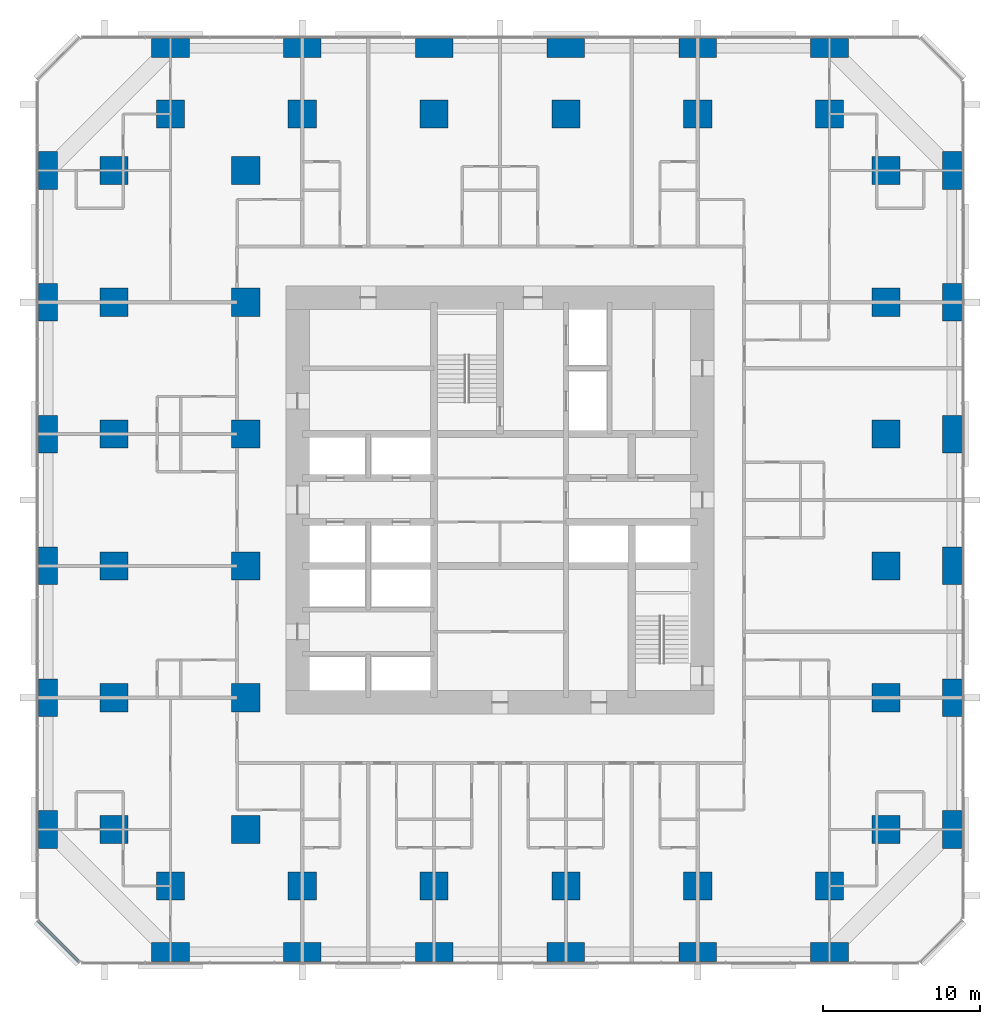
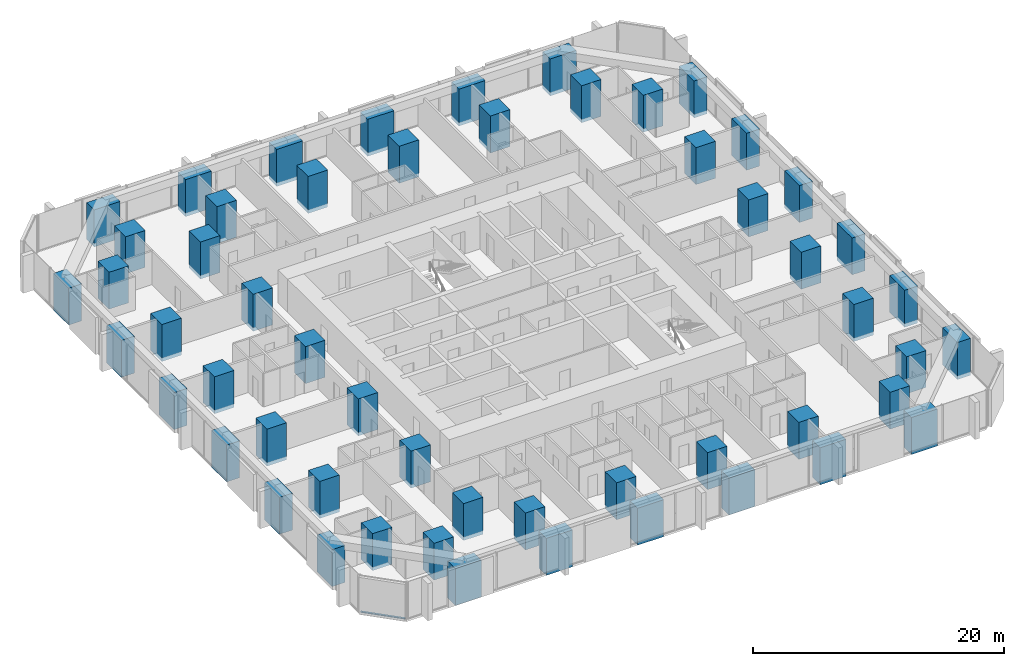
# One storey, part 1 of 17: 54 columns, 1 member, 1 element without a shape of its own.
"""IFC4 building model written with IfcOpenShell, lengths in metres."""

from ifc_helpers import new_model, si_unit, direction, frame, origin, origin_2d, place, context, subcontext, project, spatial, rectangle, extrude, material, material_profile, profile_set, type_object, element, aggregate, save


model = new_model("IFC4")

# Units and contexts
model_context = context("Model", 3, precision=1e-05, world=origin(), true_north=direction((0.0, 1.0)))
body_context = subcontext(model_context, "Body", "Model", "MODEL_VIEW")
ifc_project = project(units=[si_unit("LENGTHUNIT", "METRE"), si_unit("AREAUNIT", "SQUARE_METRE"), si_unit("VOLUMEUNIT", "CUBIC_METRE"), si_unit("PLANEANGLEUNIT", "RADIAN"), si_unit("MASSUNIT", "GRAM", prefix="KILO")], contexts=[model_context])

# Site, building, storey
site_placement = place(None, origin())
site = spatial("IfcSite", under=ifc_project, at=site_placement, CompositionType="ELEMENT")
building_placement = place(site_placement, origin())
building = spatial("IfcBuilding", under=site, at=building_placement, Name="Dunama Terrace Hotel", CompositionType="ELEMENT")
storey_placement = place(building_placement, frame((0.0, 0.0, 73.800048828125)))
storey = spatial("IfcBuildingStorey", under=building, at=storey_placement, Name="L18", CompositionType="ELEMENT", Elevation=73.800048828125)

# Columns
ifc_material_1 = material(Name="Concrete C60/75", Category="concrete")
ifc_material_profile_1 = material_profile(ifc_material_1, rectangle(XDim=1.199951171875, YDim=2.39990234375, at=origin_2d()), Name="RC 1200x2400")
ifc_profile_set_1 = profile_set([ifc_material_profile_1], Name="Concrete C60/75")
column_type_1 = type_object("IfcColumnType", Name="Column RC 1200x2400", PredefinedType="COLUMN", material=ifc_profile_set_1)
for number, where, z_axis, x_axis, name in (
    (1, (0.60009765625, 8.39990234375, -0.35009765625), (0.0, 0.0, 1.0), (1.0, 0.0, 0.0), "Column L18 +0.6/+8.4"),
    (2, (0.60009765625, 16.800048828125, -0.35009765625), (0.0, 0.0, 1.0), (1.0, 0.0, 0.0), "Column L18 +0.6/+16.8"),
    (3, (0.60009765625, 25.199951171875, -0.35009765625), (0.0, 0.0, 1.0), (1.0, 0.0, 0.0), "Column L18 +0.6/+25.2"),
    (4, (0.60009765625, 33.60009765625, -0.35009765625), (0.0, 0.0, 1.0), (1.0, 0.0, 0.0), "Column L18 +0.6/+33.6"),
    (5, (0.60009765625, 42.0, -0.35009765625), (0.0, 0.0, 1.0), (1.0, 0.0, 0.0), "Column L18 +0.6/+42.0"),
    (6, (0.60009765625, 50.39990234375, -0.35009765625), (0.0, 0.0, 1.0), (1.0, 0.0, 0.0), "Column L18 +0.6/+50.4"),
    (7, (58.199951171875, 8.39990234375, -0.35009765625), (0.0, 0.0, 1.0), (1.0, 0.0, 0.0), "Column L18 +58.2/+8.4"),
    (8, (58.199951171875, 16.800048828125, -0.35009765625), (0.0, 0.0, 1.0), (1.0, 0.0, 0.0), "Column L18 +58.2/+16.8"),
    (9, (58.199951171875, 25.199951171875, -0.35009765625), (0.0, 0.0, 1.0), (1.0, 0.0, 0.0), "Column L18 +58.2/+25.2"),
    (10, (58.199951171875, 33.60009765625, -0.35009765625), (0.0, 0.0, 1.0), (1.0, 0.0, 0.0), "Column L18 +58.2/+33.6"),
    (11, (58.199951171875, 42.0, -0.35009765625), (0.0, 0.0, 1.0), (1.0, 0.0, 0.0), "Column L18 +58.2/+42.0"),
    (12, (58.199951171875, 50.39990234375, -0.35009765625), (0.0, 0.0, 1.0), (1.0, 0.0, 0.0), "Column L18 +58.2/+50.4"),
):
    element("IfcColumn", number, at=place(storey_placement, frame(where, z_axis=z_axis, x_axis=x_axis)), inside=storey, type_object=column_type_1, Name=name, PredefinedType="COLUMN", context=body_context, shape_type="SweptSolid", body=[
        extrude(rectangle(XDim=1.199951171875, YDim=2.39990234375, at=origin_2d()), origin(), (0.0, 0.0, 1.0), 3.60009765625),
    ])
ifc_material_2 = material(Name="Concrete C60/75", Category="concrete")
ifc_material_profile_2 = material_profile(ifc_material_2, rectangle(XDim=1.800048828125, YDim=1.800048828125, at=origin_2d()), Name="RC 1800x1800")
ifc_profile_set_2 = profile_set([ifc_material_profile_2], Name="Concrete C60/75")
column_type_2 = type_object("IfcColumnType", Name="Column RC 1800x1800", PredefinedType="COLUMN", material=ifc_profile_set_2)
for number, where, z_axis, x_axis, name in (
    (13, (4.800048828125, 8.39990234375, -0.35009765625), (0.0, 0.0, 1.0), (1.0, 0.0, 0.0), "Column L18 +4.8/+8.4"),
    (14, (4.800048828125, 16.800048828125, -0.35009765625), (0.0, 0.0, 1.0), (1.0, 0.0, 0.0), "Column L18 +4.8/+16.8"),
    (15, (4.800048828125, 25.199951171875, -0.35009765625), (0.0, 0.0, 1.0), (1.0, 0.0, 0.0), "Column L18 +4.8/+25.2"),
    (16, (4.800048828125, 33.60009765625, -0.35009765625), (0.0, 0.0, 1.0), (1.0, 0.0, 0.0), "Column L18 +4.8/+33.6"),
    (17, (4.800048828125, 42.0, -0.35009765625), (0.0, 0.0, 1.0), (1.0, 0.0, 0.0), "Column L18 +4.8/+42.0"),
    (18, (4.800048828125, 50.39990234375, -0.35009765625), (0.0, 0.0, 1.0), (1.0, 0.0, 0.0), "Column L18 +4.8/+50.4"),
    (19, (8.39990234375, 4.800048828125, -0.35009765625), (0.0, 0.0, 1.0), (1.0, 0.0, 0.0), "Column L18 +8.4/+4.8"),
    (20, (8.39990234375, 54.0, -0.35009765625), (0.0, 0.0, 1.0), (1.0, 0.0, 0.0), "Column L18 +8.4/+54.0"),
    (21, (13.199951171875, 8.39990234375, -0.35009765625), (0.0, 0.0, 1.0), (1.0, 0.0, 0.0), "Column L18 +13.2/+8.4"),
    (22, (13.199951171875, 16.800048828125, -0.35009765625), (0.0, 0.0, 1.0), (1.0, 0.0, 0.0), "Column L18 +13.2/+16.8"),
    (23, (13.199951171875, 25.199951171875, -0.35009765625), (0.0, 0.0, 1.0), (1.0, 0.0, 0.0), "Column L18 +13.2/+25.2"),
    (24, (13.199951171875, 33.60009765625, -0.35009765625), (0.0, 0.0, 1.0), (1.0, 0.0, 0.0), "Column L18 +13.2/+33.6"),
    (25, (13.199951171875, 42.0, -0.35009765625), (0.0, 0.0, 1.0), (1.0, 0.0, 0.0), "Column L18 +13.2/+42.0"),
    (26, (13.199951171875, 50.39990234375, -0.35009765625), (0.0, 0.0, 1.0), (1.0, 0.0, 0.0), "Column L18 +13.2/+50.4"),
    (27, (16.800048828125, 4.800048828125, -0.35009765625), (0.0, 0.0, 1.0), (1.0, 0.0, 0.0), "Column L18 +16.8/+4.8"),
    (28, (16.800048828125, 54.0, -0.35009765625), (0.0, 0.0, 1.0), (1.0, 0.0, 0.0), "Column L18 +16.8/+54.0"),
    (29, (25.199951171875, 4.800048828125, -0.35009765625), (0.0, 0.0, 1.0), (1.0, 0.0, 0.0), "Column L18 +25.2/+4.8"),
    (30, (25.199951171875, 54.0, -0.35009765625), (0.0, 0.0, 1.0), (1.0, 0.0, 0.0), "Column L18 +25.2/+54.0"),
    (31, (33.60009765625, 4.800048828125, -0.35009765625), (0.0, 0.0, 1.0), (1.0, 0.0, 0.0), "Column L18 +33.6/+4.8"),
    (32, (33.60009765625, 54.0, -0.35009765625), (0.0, 0.0, 1.0), (1.0, 0.0, 0.0), "Column L18 +33.6/+54.0"),
    (33, (42.0, 4.800048828125, -0.35009765625), (0.0, 0.0, 1.0), (1.0, 0.0, 0.0), "Column L18 +42.0/+4.8"),
    (34, (42.0, 54.0, -0.35009765625), (0.0, 0.0, 1.0), (1.0, 0.0, 0.0), "Column L18 +42.0/+54.0"),
    (35, (50.39990234375, 4.800048828125, -0.35009765625), (0.0, 0.0, 1.0), (1.0, 0.0, 0.0), "Column L18 +50.4/+4.8"),
    (36, (50.39990234375, 54.0, -0.35009765625), (0.0, 0.0, 1.0), (1.0, 0.0, 0.0), "Column L18 +50.4/+54.0"),
    (37, (54.0, 8.39990234375, -0.35009765625), (0.0, 0.0, 1.0), (1.0, 0.0, 0.0), "Column L18 +54.0/+8.4"),
    (38, (54.0, 16.800048828125, -0.35009765625), (0.0, 0.0, 1.0), (1.0, 0.0, 0.0), "Column L18 +54.0/+16.8"),
    (39, (54.0, 25.199951171875, -0.35009765625), (0.0, 0.0, 1.0), (1.0, 0.0, 0.0), "Column L18 +54.0/+25.2"),
    (40, (54.0, 33.60009765625, -0.35009765625), (0.0, 0.0, 1.0), (1.0, 0.0, 0.0), "Column L18 +54.0/+33.6"),
    (41, (54.0, 42.0, -0.35009765625), (0.0, 0.0, 1.0), (1.0, 0.0, 0.0), "Column L18 +54.0/+42.0"),
    (42, (54.0, 50.39990234375, -0.35009765625), (0.0, 0.0, 1.0), (1.0, 0.0, 0.0), "Column L18 +54.0/+50.4"),
):
    element("IfcColumn", number, at=place(storey_placement, frame(where, z_axis=z_axis, x_axis=x_axis)), inside=storey, type_object=column_type_2, Name=name, PredefinedType="COLUMN", context=body_context, shape_type="SweptSolid", body=[
        extrude(rectangle(XDim=1.800048828125, YDim=1.800048828125, at=origin_2d()), origin(), (0.0, 0.0, 1.0), 3.60009765625),
    ])
ifc_material_3 = material(Name="Concrete C60/75", Category="concrete")
ifc_material_profile_3 = material_profile(ifc_material_3, rectangle(XDim=2.39990234375, YDim=1.199951171875, at=origin_2d()), Name="RC 2400x1200")
ifc_profile_set_3 = profile_set([ifc_material_profile_3], Name="Concrete C60/75")
column_type_3 = type_object("IfcColumnType", Name="Column RC 2400x1200", PredefinedType="COLUMN", material=ifc_profile_set_3)
for number, where, z_axis, x_axis, name in (
    (43, (8.39990234375, 0.60009765625, -0.35009765625), (0.0, 0.0, 1.0), (1.0, 0.0, 0.0), "Column L18 +8.4/+0.6"),
    (44, (8.39990234375, 58.199951171875, -0.35009765625), (0.0, 0.0, 1.0), (1.0, 0.0, 0.0), "Column L18 +8.4/+58.2"),
    (45, (16.800048828125, 0.60009765625, -0.35009765625), (0.0, 0.0, 1.0), (1.0, 0.0, 0.0), "Column L18 +16.8/+0.6"),
    (46, (16.800048828125, 58.199951171875, -0.35009765625), (0.0, 0.0, 1.0), (1.0, 0.0, 0.0), "Column L18 +16.8/+58.2"),
    (47, (25.199951171875, 0.60009765625, -0.35009765625), (0.0, 0.0, 1.0), (1.0, 0.0, 0.0), "Column L18 +25.2/+0.6"),
    (48, (25.199951171875, 58.199951171875, -0.35009765625), (0.0, 0.0, 1.0), (1.0, 0.0, 0.0), "Column L18 +25.2/+58.2"),
    (49, (33.60009765625, 0.60009765625, -0.35009765625), (0.0, 0.0, 1.0), (1.0, 0.0, 0.0), "Column L18 +33.6/+0.6"),
    (50, (33.60009765625, 58.199951171875, -0.35009765625), (0.0, 0.0, 1.0), (1.0, 0.0, 0.0), "Column L18 +33.6/+58.2"),
    (51, (42.0, 0.60009765625, -0.35009765625), (0.0, 0.0, 1.0), (1.0, 0.0, 0.0), "Column L18 +42.0/+0.6"),
    (52, (42.0, 58.199951171875, -0.35009765625), (0.0, 0.0, 1.0), (1.0, 0.0, 0.0), "Column L18 +42.0/+58.2"),
    (53, (50.39990234375, 0.60009765625, -0.35009765625), (0.0, 0.0, 1.0), (1.0, 0.0, 0.0), "Column L18 +50.4/+0.6"),
    (54, (50.39990234375, 58.199951171875, -0.35009765625), (0.0, 0.0, 1.0), (1.0, 0.0, 0.0), "Column L18 +50.4/+58.2"),
):
    element("IfcColumn", number, at=place(storey_placement, frame(where, z_axis=z_axis, x_axis=x_axis)), inside=storey, type_object=column_type_3, Name=name, PredefinedType="COLUMN", context=body_context, shape_type="SweptSolid", body=[
        extrude(rectangle(XDim=2.39990234375, YDim=1.199951171875, at=origin_2d()), origin(), (0.0, 0.0, 1.0), 3.60009765625),
    ])

# Curtain wall, member
ifc_material_4 = material(Name="Aluminium curtain wall system", Category="aluminium")
curtain_wall_type = type_object("IfcCurtainWallType", Name="Unitised fritted glass wall CW-A", PredefinedType="NOTDEFINED", material=ifc_material_4)
curtain_wall_placement = place(storey_placement, origin())
curtain_wall = element("IfcCurtainWall", 55, at=curtain_wall_placement, inside=storey, type_object=curtain_wall_type, Name="Unitised fritted glass wall CW-A L18", PredefinedType="NOTDEFINED")
ifc_material_5 = material(Name="Aluminium transom", Category="aluminium")
ifc_material_profile_4 = material_profile(ifc_material_5, rectangle(XDim=0.179931640625, YDim=0.074951171875, at=origin_2d()), Name="CWA TRANSOM 180X75")
ifc_profile_set_4 = profile_set([ifc_material_profile_4], Name="Aluminium transom")
member_type = type_object("IfcMemberType", Name="CWA transom 180x75", PredefinedType="USERDEFINED", material=ifc_profile_set_4)
member_placement = place(storey_placement, frame((-0.02490234375, 2.5830078125, 0.037353515625), z_axis=(0.707106781187, -0.707106781187, 0.0), x_axis=(0.707106781187, 0.707106781187, 0.0)))
member = element("IfcMember", 56, at=member_placement, type_object=member_type, Name="CWA transom", ObjectType="TRANSOM", PredefinedType="USERDEFINED", context=body_context, shape_type="SweptSolid", body=[
    extrude(rectangle(XDim=0.179931640625, YDim=0.074951171875, at=origin_2d()), origin(), (0.0, 0.0, 1.0), 3.688232421875),
])
aggregate(curtain_wall, [member])

save(model, "model.ifc")
